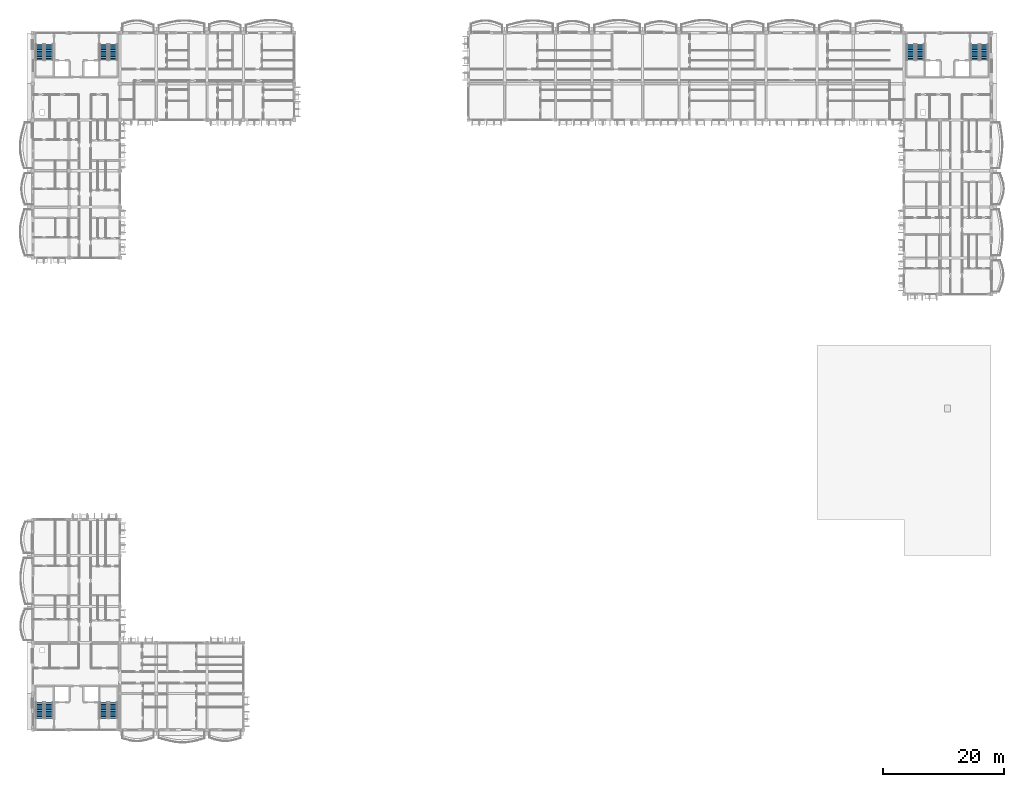
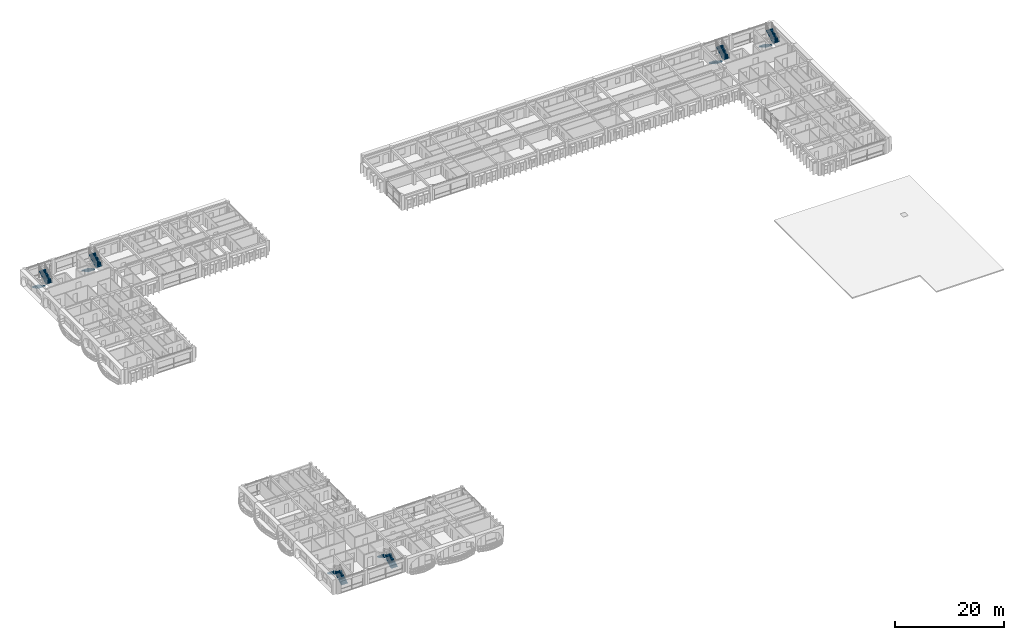
# One storey, part 37 of 54: 12 stair flights, 6 elements without a shape of their own.
"""IFC4 building model written with IfcOpenShell, lengths in metres."""

import ifcopenshell
import ifcopenshell.guid

model = None  # the IFC model being written
_history = None  # IfcOwnerHistory: only IFC2X3 demands one
_inside = {}  # id of a spatial element -> (the spatial element, [elements in it])
_under = {}  # id of a project, library or spatial element -> (it, [spatial elements below it])
_declared = {}  # id of a project -> (the project, [libraries it declares])
_typed = {}  # id of a type object -> (the type object, [elements of that type])
_made_of = {}  # id of a material, layer set ... -> (it, [elements and type objects made of it])


def new_model(schema):
    """Start an empty IFC model of exactly this schema.

    Asked for "IFC4X3", IfcOpenShell would pick the latest addendum, in which some entities
    have other attributes; the version numbers below select the first issue.
    IFC2X3 requires an IfcOwnerHistory on every rooted entity: one is made here for all.
    """
    global model, _history
    if schema == "IFC4X3":
        model = ifcopenshell.file(schema_version=(4, 3, 0, 0))
    else:
        model = ifcopenshell.file(schema=schema)
    _inside.clear()
    _under.clear()
    _declared.clear()
    _typed.clear()
    _made_of.clear()
    _history = None
    if model.schema == "IFC2X3":
        org = make("IfcOrganization", Name="unknown")
        user = make(
            "IfcPersonAndOrganization",
            ThePerson=make("IfcPerson", FamilyName="unknown"),
            TheOrganization=org,
        )
        app = make(
            "IfcApplication",
            ApplicationDeveloper=org,
            Version="unknown",
            ApplicationFullName="unknown",
            ApplicationIdentifier="unknown",
        )
        _history = make(
            "IfcOwnerHistory",
            OwningUser=user,
            OwningApplication=app,
            ChangeAction="ADDED",
            CreationDate=0,
        )
    return model


def make(cls, **values):
    """One entity of the class cls with the attributes given. An attribute that is None is left unset."""
    return model.create_entity(
        cls, **{name: value for name, value in values.items() if value is not None}
    )


def rooted(cls, **values):
    """An entity with a GlobalId (a new one), such as an element, a storey or a relation."""
    return make(cls, GlobalId=ifcopenshell.guid.new(), OwnerHistory=_history, **values)


def si_unit(unit_type, name, prefix=None):
    """IfcSIUnit, for example si_unit("LENGTHUNIT", "METRE", prefix="MILLI")."""
    return make("IfcSIUnit", UnitType=unit_type, Prefix=prefix, Name=name)


def assignment(units):
    """IfcUnitAssignment: the units of a project."""
    return None if units is None else make("IfcUnitAssignment", Units=units)


def point(xyz):
    """IfcCartesianPoint."""
    return None if xyz is None else make("IfcCartesianPoint", Coordinates=xyz)


def direction(xyz):
    """IfcDirection."""
    return None if xyz is None else make("IfcDirection", DirectionRatios=xyz)


def frame(location, z_axis=None, x_axis=None):
    """IfcAxis2Placement3D, a coordinate frame: its origin and axes. An axis left out is left unset."""
    return make(
        "IfcAxis2Placement3D",
        Location=point(location),
        Axis=direction(z_axis),
        RefDirection=direction(x_axis),
    )


def origin():
    """The frame at (0, 0, 0) with its axes left unset."""
    return frame((0.0, 0.0, 0.0))


def place(relative_to, where):
    """IfcLocalPlacement: puts the frame where relative to a parent placement (None: the world)."""
    return make(
        "IfcLocalPlacement", PlacementRelTo=relative_to, RelativePlacement=where
    )


def context(
    kind, dimensions, precision=None, world=None, true_north=None, identifier=None
):
    """IfcGeometricRepresentationContext, for example the 3D "Model" context."""
    return make(
        "IfcGeometricRepresentationContext",
        ContextIdentifier=identifier,
        ContextType=kind,
        CoordinateSpaceDimension=dimensions,
        Precision=precision,
        WorldCoordinateSystem=world,
        TrueNorth=true_north,
    )


def subcontext(parent, identifier, kind, view, scale=None):
    """IfcGeometricRepresentationSubContext, for example "Body" below "Model"."""
    return make(
        "IfcGeometricRepresentationSubContext",
        ContextIdentifier=identifier,
        ContextType=kind,
        ParentContext=parent,
        TargetScale=scale,
        TargetView=view,
    )


def project(units=None, contexts=None):
    """IfcProject with its units and contexts."""
    return rooted(
        "IfcProject",
        Name="project",
        RepresentationContexts=contexts,
        UnitsInContext=assignment(units),
    )


def spatial(cls, under=None, at=None, **own):
    """A site, building, storey or space (cls), placed at a placement, below another one or the project."""
    s = rooted(cls, ObjectPlacement=at, **own)
    if under is not None:
        _under.setdefault(under.id(), (under, []))[1].append(s)
    return s


def polyline(points):
    """IfcPolyline through the points."""
    return make("IfcPolyline", Points=[point(p) for p in points])


def outline(outer, holes=None, kind="AREA"):
    """IfcArbitraryClosedProfileDef: a profile drawn as a closed curve; with holes, ...WithVoids."""
    if holes is None:
        return make("IfcArbitraryClosedProfileDef", ProfileType=kind, OuterCurve=outer)
    return make(
        "IfcArbitraryProfileDefWithVoids",
        ProfileType=kind,
        OuterCurve=outer,
        InnerCurves=holes,
    )


def extrude(swept, where, along, depth):
    """IfcExtrudedAreaSolid: the profile swept, set in the frame where, extruded along a direction by depth."""
    return make(
        "IfcExtrudedAreaSolid",
        SweptArea=swept,
        Position=where,
        ExtrudedDirection=direction(along),
        Depth=depth,
    )


def shape(context_of_items, identifier, shape_type, items):
    """IfcShapeRepresentation: the items that make up one representation, for example the "Body"."""
    return make(
        "IfcShapeRepresentation",
        ContextOfItems=context_of_items,
        RepresentationIdentifier=identifier,
        RepresentationType=shape_type,
        Items=items,
    )


def material(Name=None, Category=None):
    """IfcMaterial."""
    return make("IfcMaterial", Name=Name, Category=Category)


def made_of(thing, what):
    """Note that an element or type object is made of a material, layer set ...; save() writes the relation."""
    if what is not None:
        _made_of.setdefault(what.id(), (what, []))[1].append(thing)
    return thing


def type_object(cls, material=None, **own):
    """A type object (cls), such as IfcWallType, which elements share."""
    return made_of(rooted(cls, **own), material)


def element(
    cls,
    number,
    at=None,
    inside=None,
    cuts=None,
    type_object=None,
    material=None,
    context=None,
    identifier="Body",
    shape_type=None,
    held_by="IfcProductDefinitionShape",
    body=None,
    shapes=None,
    **own,
):
    """One element of the class cls, such as IfcWall. Its Tag is "e" and its number.

    at: its placement. inside: the storey or other place that contains it. cuts: it is an
    opening in that element (IfcRelVoidsElement). A single representation is given by context,
    identifier, shape_type and body (its items); several are given by shapes. held_by: the class
    of the entity that holds the representations. save() writes the other relations.
    """
    e = rooted(cls, Tag="e%d" % number, ObjectPlacement=at, **own)
    if body is not None:
        shapes = [shape(context, identifier, shape_type, body)]
    if shapes is not None:
        e.Representation = make(held_by, Representations=shapes)
    if inside is not None:
        _inside.setdefault(inside.id(), (inside, []))[1].append(e)
    if cuts is not None:
        rooted(
            "IfcRelVoidsElement", RelatingBuildingElement=cuts, RelatedOpeningElement=e
        )
    if type_object is not None:
        _typed.setdefault(type_object.id(), (type_object, []))[1].append(e)
    return made_of(e, material)


def aggregate(whole, parts):
    """IfcRelAggregates: a whole, such as a stair, and the parts it consists of."""
    return rooted("IfcRelAggregates", RelatingObject=whole, RelatedObjects=parts)


def save(model, path):
    """Write the relations noted so far, then the file.

    IfcRelAggregates (storeys below a building ...), IfcRelContainedInSpatialStructure (elements
    in a storey), IfcRelDefinesByType, IfcRelAssociatesMaterial and IfcRelDeclares: one each for
    every whole, place, type object, material and project.
    """
    for whole, parts in _under.values():
        aggregate(whole, parts)
    for where, things in _inside.values():
        rooted(
            "IfcRelContainedInSpatialStructure",
            RelatedElements=things,
            RelatingStructure=where,
        )
    for kind, things in _typed.values():
        rooted("IfcRelDefinesByType", RelatedObjects=things, RelatingType=kind)
    for what, things in _made_of.values():
        rooted("IfcRelAssociatesMaterial", RelatedObjects=things, RelatingMaterial=what)
    for by, libraries in _declared.values():
        rooted("IfcRelDeclares", RelatingContext=by, RelatedDefinitions=libraries)
    model.write(path)


model = new_model("IFC4")

# Units and contexts
model_context = context("Model", 3, precision=1e-05, world=origin(), true_north=direction((0.0, 1.0)))
body_context = subcontext(model_context, "Body", "Model", "MODEL_VIEW")
ifc_project = project(units=[si_unit("LENGTHUNIT", "METRE"), si_unit("AREAUNIT", "SQUARE_METRE"), si_unit("VOLUMEUNIT", "CUBIC_METRE"), si_unit("PLANEANGLEUNIT", "RADIAN"), si_unit("MASSUNIT", "GRAM", prefix="KILO"), si_unit("THERMODYNAMICTEMPERATUREUNIT", "KELVIN")], contexts=[model_context])

# Site, building, storey
site_placement = place(None, origin())
site = spatial("IfcSite", under=ifc_project, at=site_placement, CompositionType="ELEMENT")
building_placement = place(site_placement, origin())
building = spatial("IfcBuilding", under=site, at=building_placement, Name="Thalorik Housing Commons", CompositionType="ELEMENT")
storey_placement = place(building_placement, frame((0.0, 0.0, 31.199951171875)))
storey = spatial("IfcBuildingStorey", under=building, at=storey_placement, Name="L09", CompositionType="ELEMENT", Elevation=31.199951171875)

# Stair, stair flights
ifc_material = material(Name="Precast concrete C40/50", Category="concrete")
stair_type = type_object("IfcStairType", Name="ARC-STR-1350-R20", PredefinedType="HALF_TURN_STAIR", material=ifc_material)
stair_1_placement = place(storey_placement, origin())
stair_1 = element("IfcStair", 1, at=stair_1_placement, inside=storey, type_object=stair_type, Name="L09 Block A Smoke-Proof Stair 1", PredefinedType="HALF_TURN_STAIR")
stair_flight_type = type_object("IfcStairFlightType", Name="ARC-SFLT-1350-R10", PredefinedType="STRAIGHT", material=ifc_material)
stair_flight_1_placement = place(storey_placement, frame((9.52490234375, 121.699951171875, 0.0), z_axis=(0.0, 0.0, 1.0), x_axis=(0.0, -1.0, 0.0)))
stair_flight_1 = element("IfcStairFlight", 2, at=stair_flight_1_placement, type_object=stair_flight_type, Name="ST-A1 flight 1", NumberOfRisers=10, NumberOfTreads=9, PredefinedType="STRAIGHT", RiserHeight=0.165, TreadLength=0.29, context=body_context, shape_type="SweptSolid", body=[
    extrude(outline(polyline([(0.0, 0.0), (0.0, 0.1650390625), (0.2900390625, 0.1650390625), (0.2900390625, 0.330078125), (0.580078125, 0.330078125), (0.580078125, 0.4951171875), (0.8701171875, 0.4951171875), (0.8701171875, 0.659912109375), (1.159912109375, 0.659912109375), (1.159912109375, 0.824951171875), (1.449951171875, 0.824951171875), (1.449951171875, 0.989990234375), (1.739990234375, 0.989990234375), (1.739990234375, 1.155029296875), (2.030029296875, 1.155029296875), (2.030029296875, 1.320068359375), (2.320068359375, 1.320068359375), (2.320068359375, 1.485107421875), (2.610107421875, 1.485107421875), (2.610107421875, 1.64990234375), (2.610107421875, 1.301025390625), (0.323486328125, 0.0), (0.0, 0.0)])), frame((0.0, 0.675048828125, 0.0), z_axis=(0.0, -1.0, 0.0), x_axis=(1.0, 0.0, 0.0)), (0.0, 0.0, 1.0), 1.35009765625),
])
stair_flight_2_placement = place(storey_placement, frame((11.074951171875, 119.090087890625, 1.650146484375), z_axis=(0.0, 0.0, 1.0), x_axis=(0.0, 1.0, 0.0)))
stair_flight_2 = element("IfcStairFlight", 3, at=stair_flight_2_placement, type_object=stair_flight_type, Name="ST-A1 flight 2", NumberOfRisers=10, NumberOfTreads=9, PredefinedType="STRAIGHT", RiserHeight=0.165, TreadLength=0.29, context=body_context, shape_type="SweptSolid", body=[
    extrude(outline(polyline([(0.0, 0.0), (0.0, 0.1650390625), (0.2900390625, 0.1650390625), (0.2900390625, 0.330078125), (0.580078125, 0.330078125), (0.580078125, 0.4951171875), (0.8701171875, 0.4951171875), (0.8701171875, 0.659912109375), (1.159912109375, 0.659912109375), (1.159912109375, 0.824951171875), (1.449951171875, 0.824951171875), (1.449951171875, 0.989990234375), (1.739990234375, 0.989990234375), (1.739990234375, 1.155029296875), (2.030029296875, 1.155029296875), (2.030029296875, 1.320068359375), (2.320068359375, 1.320068359375), (2.320068359375, 1.485107421875), (2.610107421875, 1.485107421875), (2.610107421875, 1.64990234375), (2.610107421875, 1.301025390625), (0.323486328125, 0.0), (0.0, 0.0)])), frame((0.0, 0.675048828125, 0.0), z_axis=(0.0, -1.0, 0.0), x_axis=(1.0, 0.0, 0.0)), (0.0, 0.0, 1.0), 1.35009765625),
])
aggregate(stair_1, [stair_flight_1, stair_flight_2])

stair_2_placement = place(storey_placement, origin())
stair_2 = element("IfcStair", 4, at=stair_2_placement, inside=storey, type_object=stair_type, Name="L09 Block A Smoke-Proof Stair 2", PredefinedType="HALF_TURN_STAIR")
stair_flight_3_placement = place(storey_placement, frame((20.125, 121.699951171875, 0.0), z_axis=(0.0, 0.0, 1.0), x_axis=(0.0, -1.0, 0.0)))
stair_flight_3 = element("IfcStairFlight", 5, at=stair_flight_3_placement, type_object=stair_flight_type, Name="ST-A2 flight 1", NumberOfRisers=10, NumberOfTreads=9, PredefinedType="STRAIGHT", RiserHeight=0.165, TreadLength=0.29, context=body_context, shape_type="SweptSolid", body=[
    extrude(outline(polyline([(0.0, 0.0), (0.0, 0.1650390625), (0.2900390625, 0.1650390625), (0.2900390625, 0.330078125), (0.580078125, 0.330078125), (0.580078125, 0.4951171875), (0.8701171875, 0.4951171875), (0.8701171875, 0.659912109375), (1.159912109375, 0.659912109375), (1.159912109375, 0.824951171875), (1.449951171875, 0.824951171875), (1.449951171875, 0.989990234375), (1.739990234375, 0.989990234375), (1.739990234375, 1.155029296875), (2.030029296875, 1.155029296875), (2.030029296875, 1.320068359375), (2.320068359375, 1.320068359375), (2.320068359375, 1.485107421875), (2.610107421875, 1.485107421875), (2.610107421875, 1.64990234375), (2.610107421875, 1.301025390625), (0.323486328125, 0.0), (0.0, 0.0)])), frame((0.0, 0.675048828125, 0.0), z_axis=(0.0, -1.0, 0.0), x_axis=(1.0, 0.0, 0.0)), (0.0, 0.0, 1.0), 1.35009765625),
])
stair_flight_4_placement = place(storey_placement, frame((21.675048828125, 119.090087890625, 1.650146484375), z_axis=(0.0, 0.0, 1.0), x_axis=(0.0, 1.0, 0.0)))
stair_flight_4 = element("IfcStairFlight", 6, at=stair_flight_4_placement, type_object=stair_flight_type, Name="ST-A2 flight 2", NumberOfRisers=10, NumberOfTreads=9, PredefinedType="STRAIGHT", RiserHeight=0.165, TreadLength=0.29, context=body_context, shape_type="SweptSolid", body=[
    extrude(outline(polyline([(0.0, 0.0), (0.0, 0.1650390625), (0.2900390625, 0.1650390625), (0.2900390625, 0.330078125), (0.580078125, 0.330078125), (0.580078125, 0.4951171875), (0.8701171875, 0.4951171875), (0.8701171875, 0.659912109375), (1.159912109375, 0.659912109375), (1.159912109375, 0.824951171875), (1.449951171875, 0.824951171875), (1.449951171875, 0.989990234375), (1.739990234375, 0.989990234375), (1.739990234375, 1.155029296875), (2.030029296875, 1.155029296875), (2.030029296875, 1.320068359375), (2.320068359375, 1.320068359375), (2.320068359375, 1.485107421875), (2.610107421875, 1.485107421875), (2.610107421875, 1.64990234375), (2.610107421875, 1.301025390625), (0.323486328125, 0.0), (0.0, 0.0)])), frame((0.0, 0.675048828125, 0.0), z_axis=(0.0, -1.0, 0.0), x_axis=(1.0, 0.0, 0.0)), (0.0, 0.0, 1.0), 1.35009765625),
])
aggregate(stair_2, [stair_flight_3, stair_flight_4])

stair_3_placement = place(storey_placement, origin())
stair_3 = element("IfcStair", 7, at=stair_3_placement, inside=storey, type_object=stair_type, Name="L09 Block B Smoke-Proof Stair 1", PredefinedType="HALF_TURN_STAIR")
stair_flight_5_placement = place(storey_placement, frame((153.52490234375, 121.699951171875, 0.0), z_axis=(0.0, 0.0, 1.0), x_axis=(0.0, -1.0, 0.0)))
stair_flight_5 = element("IfcStairFlight", 8, at=stair_flight_5_placement, type_object=stair_flight_type, Name="ST-B1 flight 1", NumberOfRisers=10, NumberOfTreads=9, PredefinedType="STRAIGHT", RiserHeight=0.165, TreadLength=0.29, context=body_context, shape_type="SweptSolid", body=[
    extrude(outline(polyline([(0.0, 0.0), (0.0, 0.1650390625), (0.2900390625, 0.1650390625), (0.2900390625, 0.330078125), (0.580078125, 0.330078125), (0.580078125, 0.4951171875), (0.8701171875, 0.4951171875), (0.8701171875, 0.659912109375), (1.159912109375, 0.659912109375), (1.159912109375, 0.824951171875), (1.449951171875, 0.824951171875), (1.449951171875, 0.989990234375), (1.739990234375, 0.989990234375), (1.739990234375, 1.155029296875), (2.030029296875, 1.155029296875), (2.030029296875, 1.320068359375), (2.320068359375, 1.320068359375), (2.320068359375, 1.485107421875), (2.610107421875, 1.485107421875), (2.610107421875, 1.64990234375), (2.610107421875, 1.301025390625), (0.323486328125, 0.0), (0.0, 0.0)])), frame((0.0, 0.675048828125, 0.0), z_axis=(0.0, -1.0, 0.0), x_axis=(1.0, 0.0, 0.0)), (0.0, 0.0, 1.0), 1.35009765625),
])
stair_flight_6_placement = place(storey_placement, frame((155.074951171875, 119.090087890625, 1.650146484375), z_axis=(0.0, 0.0, 1.0), x_axis=(0.0, 1.0, 0.0)))
stair_flight_6 = element("IfcStairFlight", 9, at=stair_flight_6_placement, type_object=stair_flight_type, Name="ST-B1 flight 2", NumberOfRisers=10, NumberOfTreads=9, PredefinedType="STRAIGHT", RiserHeight=0.165, TreadLength=0.29, context=body_context, shape_type="SweptSolid", body=[
    extrude(outline(polyline([(0.0, 0.0), (0.0, 0.1650390625), (0.2900390625, 0.1650390625), (0.2900390625, 0.330078125), (0.580078125, 0.330078125), (0.580078125, 0.4951171875), (0.8701171875, 0.4951171875), (0.8701171875, 0.659912109375), (1.159912109375, 0.659912109375), (1.159912109375, 0.824951171875), (1.449951171875, 0.824951171875), (1.449951171875, 0.989990234375), (1.739990234375, 0.989990234375), (1.739990234375, 1.155029296875), (2.030029296875, 1.155029296875), (2.030029296875, 1.320068359375), (2.320068359375, 1.320068359375), (2.320068359375, 1.485107421875), (2.610107421875, 1.485107421875), (2.610107421875, 1.64990234375), (2.610107421875, 1.301025390625), (0.323486328125, 0.0), (0.0, 0.0)])), frame((0.0, 0.675048828125, 0.0), z_axis=(0.0, -1.0, 0.0), x_axis=(1.0, 0.0, 0.0)), (0.0, 0.0, 1.0), 1.35009765625),
])
aggregate(stair_3, [stair_flight_5, stair_flight_6])

stair_4_placement = place(storey_placement, origin())
stair_4 = element("IfcStair", 10, at=stair_4_placement, inside=storey, type_object=stair_type, Name="L09 Block B Smoke-Proof Stair 2", PredefinedType="HALF_TURN_STAIR")
stair_flight_7_placement = place(storey_placement, frame((164.125, 121.699951171875, 0.0), z_axis=(0.0, 0.0, 1.0), x_axis=(0.0, -1.0, 0.0)))
stair_flight_7 = element("IfcStairFlight", 11, at=stair_flight_7_placement, type_object=stair_flight_type, Name="ST-B2 flight 1", NumberOfRisers=10, NumberOfTreads=9, PredefinedType="STRAIGHT", RiserHeight=0.165, TreadLength=0.29, context=body_context, shape_type="SweptSolid", body=[
    extrude(outline(polyline([(0.0, 0.0), (0.0, 0.1650390625), (0.2900390625, 0.1650390625), (0.2900390625, 0.330078125), (0.580078125, 0.330078125), (0.580078125, 0.4951171875), (0.8701171875, 0.4951171875), (0.8701171875, 0.659912109375), (1.159912109375, 0.659912109375), (1.159912109375, 0.824951171875), (1.449951171875, 0.824951171875), (1.449951171875, 0.989990234375), (1.739990234375, 0.989990234375), (1.739990234375, 1.155029296875), (2.030029296875, 1.155029296875), (2.030029296875, 1.320068359375), (2.320068359375, 1.320068359375), (2.320068359375, 1.485107421875), (2.610107421875, 1.485107421875), (2.610107421875, 1.64990234375), (2.610107421875, 1.301025390625), (0.323486328125, 0.0), (0.0, 0.0)])), frame((0.0, 0.675048828125, 0.0), z_axis=(0.0, -1.0, 0.0), x_axis=(1.0, 0.0, 0.0)), (0.0, 0.0, 1.0), 1.35009765625),
])
stair_flight_8_placement = place(storey_placement, frame((165.675048828125, 119.090087890625, 1.650146484375), z_axis=(0.0, 0.0, 1.0), x_axis=(0.0, 1.0, 0.0)))
stair_flight_8 = element("IfcStairFlight", 12, at=stair_flight_8_placement, type_object=stair_flight_type, Name="ST-B2 flight 2", NumberOfRisers=10, NumberOfTreads=9, PredefinedType="STRAIGHT", RiserHeight=0.165, TreadLength=0.29, context=body_context, shape_type="SweptSolid", body=[
    extrude(outline(polyline([(0.0, 0.0), (0.0, 0.1650390625), (0.2900390625, 0.1650390625), (0.2900390625, 0.330078125), (0.580078125, 0.330078125), (0.580078125, 0.4951171875), (0.8701171875, 0.4951171875), (0.8701171875, 0.659912109375), (1.159912109375, 0.659912109375), (1.159912109375, 0.824951171875), (1.449951171875, 0.824951171875), (1.449951171875, 0.989990234375), (1.739990234375, 0.989990234375), (1.739990234375, 1.155029296875), (2.030029296875, 1.155029296875), (2.030029296875, 1.320068359375), (2.320068359375, 1.320068359375), (2.320068359375, 1.485107421875), (2.610107421875, 1.485107421875), (2.610107421875, 1.64990234375), (2.610107421875, 1.301025390625), (0.323486328125, 0.0), (0.0, 0.0)])), frame((0.0, 0.675048828125, 0.0), z_axis=(0.0, -1.0, 0.0), x_axis=(1.0, 0.0, 0.0)), (0.0, 0.0, 1.0), 1.35009765625),
])
aggregate(stair_4, [stair_flight_7, stair_flight_8])

stair_5_placement = place(storey_placement, origin())
stair_5 = element("IfcStair", 13, at=stair_5_placement, inside=storey, type_object=stair_type, Name="L09 Block C Smoke-Proof Stair 1", PredefinedType="HALF_TURN_STAIR")
stair_flight_9_placement = place(storey_placement, frame((11.074951171875, 10.300048828125, 0.0), z_axis=(0.0, 0.0, 1.0), x_axis=(0.0, 1.0, 0.0)))
stair_flight_9 = element("IfcStairFlight", 14, at=stair_flight_9_placement, type_object=stair_flight_type, Name="ST-C1 flight 1", NumberOfRisers=10, NumberOfTreads=9, PredefinedType="STRAIGHT", RiserHeight=0.165, TreadLength=0.29, context=body_context, shape_type="SweptSolid", body=[
    extrude(outline(polyline([(0.0, 0.0), (0.0, 0.1650390625), (0.2900390625, 0.1650390625), (0.2900390625, 0.330078125), (0.580078125, 0.330078125), (0.580078125, 0.4951171875), (0.8701171875, 0.4951171875), (0.8701171875, 0.659912109375), (1.159912109375, 0.659912109375), (1.159912109375, 0.824951171875), (1.449951171875, 0.824951171875), (1.449951171875, 0.989990234375), (1.739990234375, 0.989990234375), (1.739990234375, 1.155029296875), (2.030029296875, 1.155029296875), (2.030029296875, 1.320068359375), (2.320068359375, 1.320068359375), (2.320068359375, 1.485107421875), (2.610107421875, 1.485107421875), (2.610107421875, 1.64990234375), (2.610107421875, 1.301025390625), (0.323486328125, 0.0), (0.0, 0.0)])), frame((0.0, 0.675048828125, 0.0), z_axis=(0.0, -1.0, 0.0), x_axis=(1.0, 0.0, 0.0)), (0.0, 0.0, 1.0), 1.35009765625),
])
stair_flight_10_placement = place(storey_placement, frame((9.52490234375, 12.909912109375, 1.650146484375), z_axis=(0.0, 0.0, 1.0), x_axis=(0.0, -1.0, 0.0)))
stair_flight_10 = element("IfcStairFlight", 15, at=stair_flight_10_placement, type_object=stair_flight_type, Name="ST-C1 flight 2", NumberOfRisers=10, NumberOfTreads=9, PredefinedType="STRAIGHT", RiserHeight=0.165, TreadLength=0.29, context=body_context, shape_type="SweptSolid", body=[
    extrude(outline(polyline([(0.0, 0.0), (0.0, 0.1650390625), (0.2900390625, 0.1650390625), (0.2900390625, 0.330078125), (0.580078125, 0.330078125), (0.580078125, 0.4951171875), (0.8701171875, 0.4951171875), (0.8701171875, 0.659912109375), (1.159912109375, 0.659912109375), (1.159912109375, 0.824951171875), (1.449951171875, 0.824951171875), (1.449951171875, 0.989990234375), (1.739990234375, 0.989990234375), (1.739990234375, 1.155029296875), (2.030029296875, 1.155029296875), (2.030029296875, 1.320068359375), (2.320068359375, 1.320068359375), (2.320068359375, 1.485107421875), (2.610107421875, 1.485107421875), (2.610107421875, 1.64990234375), (2.610107421875, 1.301025390625), (0.323486328125, 0.0), (0.0, 0.0)])), frame((0.0, 0.675048828125, 0.0), z_axis=(0.0, -1.0, 0.0), x_axis=(1.0, 0.0, 0.0)), (0.0, 0.0, 1.0), 1.35009765625),
])
aggregate(stair_5, [stair_flight_9, stair_flight_10])

stair_6_placement = place(storey_placement, origin())
stair_6 = element("IfcStair", 16, at=stair_6_placement, inside=storey, type_object=stair_type, Name="L09 Block C Smoke-Proof Stair 2", PredefinedType="HALF_TURN_STAIR")
stair_flight_11_placement = place(storey_placement, frame((21.675048828125, 10.300048828125, 0.0), z_axis=(0.0, 0.0, 1.0), x_axis=(0.0, 1.0, 0.0)))
stair_flight_11 = element("IfcStairFlight", 17, at=stair_flight_11_placement, type_object=stair_flight_type, Name="ST-C2 flight 1", NumberOfRisers=10, NumberOfTreads=9, PredefinedType="STRAIGHT", RiserHeight=0.165, TreadLength=0.29, context=body_context, shape_type="SweptSolid", body=[
    extrude(outline(polyline([(0.0, 0.0), (0.0, 0.1650390625), (0.2900390625, 0.1650390625), (0.2900390625, 0.330078125), (0.580078125, 0.330078125), (0.580078125, 0.4951171875), (0.8701171875, 0.4951171875), (0.8701171875, 0.659912109375), (1.159912109375, 0.659912109375), (1.159912109375, 0.824951171875), (1.449951171875, 0.824951171875), (1.449951171875, 0.989990234375), (1.739990234375, 0.989990234375), (1.739990234375, 1.155029296875), (2.030029296875, 1.155029296875), (2.030029296875, 1.320068359375), (2.320068359375, 1.320068359375), (2.320068359375, 1.485107421875), (2.610107421875, 1.485107421875), (2.610107421875, 1.64990234375), (2.610107421875, 1.301025390625), (0.323486328125, 0.0), (0.0, 0.0)])), frame((0.0, 0.675048828125, 0.0), z_axis=(0.0, -1.0, 0.0), x_axis=(1.0, 0.0, 0.0)), (0.0, 0.0, 1.0), 1.35009765625),
])
stair_flight_12_placement = place(storey_placement, frame((20.125, 12.909912109375, 1.650146484375), z_axis=(0.0, 0.0, 1.0), x_axis=(0.0, -1.0, 0.0)))
stair_flight_12 = element("IfcStairFlight", 18, at=stair_flight_12_placement, type_object=stair_flight_type, Name="ST-C2 flight 2", NumberOfRisers=10, NumberOfTreads=9, PredefinedType="STRAIGHT", RiserHeight=0.165, TreadLength=0.29, context=body_context, shape_type="SweptSolid", body=[
    extrude(outline(polyline([(0.0, 0.0), (0.0, 0.1650390625), (0.2900390625, 0.1650390625), (0.2900390625, 0.330078125), (0.580078125, 0.330078125), (0.580078125, 0.4951171875), (0.8701171875, 0.4951171875), (0.8701171875, 0.659912109375), (1.159912109375, 0.659912109375), (1.159912109375, 0.824951171875), (1.449951171875, 0.824951171875), (1.449951171875, 0.989990234375), (1.739990234375, 0.989990234375), (1.739990234375, 1.155029296875), (2.030029296875, 1.155029296875), (2.030029296875, 1.320068359375), (2.320068359375, 1.320068359375), (2.320068359375, 1.485107421875), (2.610107421875, 1.485107421875), (2.610107421875, 1.64990234375), (2.610107421875, 1.301025390625), (0.323486328125, 0.0), (0.0, 0.0)])), frame((0.0, 0.675048828125, 0.0), z_axis=(0.0, -1.0, 0.0), x_axis=(1.0, 0.0, 0.0)), (0.0, 0.0, 1.0), 1.35009765625),
])
aggregate(stair_6, [stair_flight_11, stair_flight_12])

save(model, "model.ifc")
